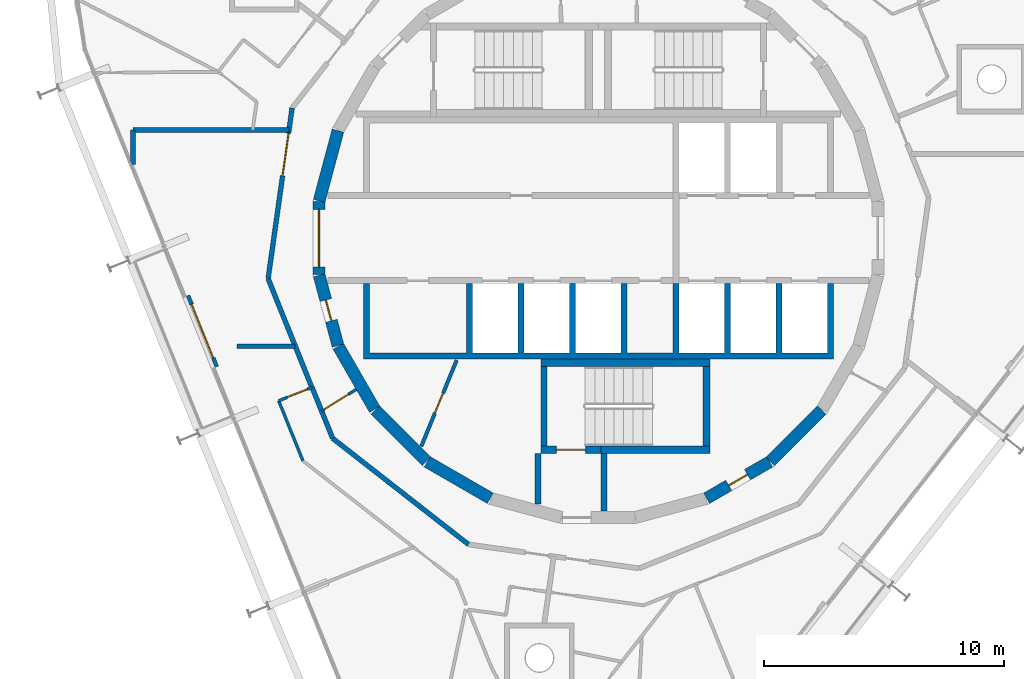
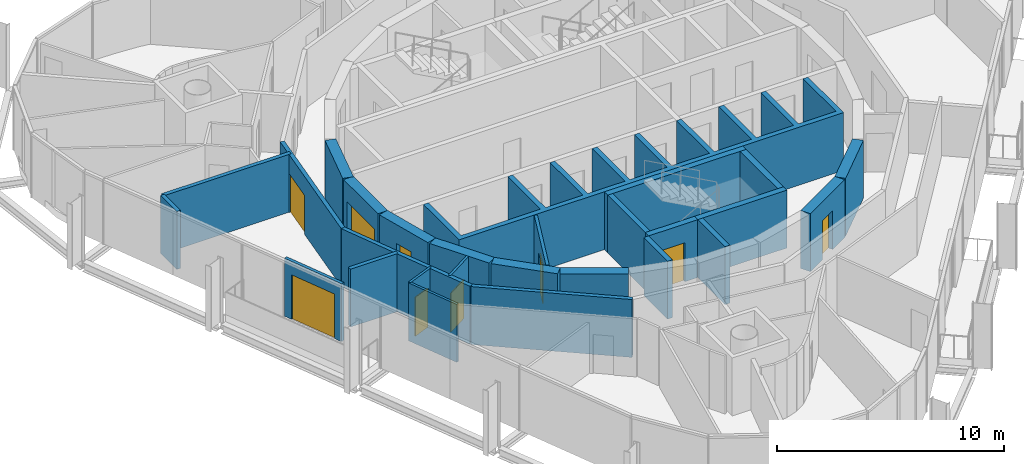
# One storey, part 10 of 15: 28 walls, 9 doors, 9 openings.
"""IFC4 building model written with IfcOpenShell, lengths in metres."""

from ifc_helpers import new_model, si_unit, direction, frame, frame_2d, origin, place, context, subcontext, project, spatial, polyline, rectangle, outline, extrude, material, layer, layer_set, type_object, element, fill, save


model = new_model("IFC4")

# Units and contexts
model_context = context("Model", 3, precision=1e-05, world=origin(), true_north=direction((0.0, 1.0)))
body_context = subcontext(model_context, "Body", "Model", "MODEL_VIEW")
ifc_project = project(units=[si_unit("LENGTHUNIT", "METRE"), si_unit("AREAUNIT", "SQUARE_METRE"), si_unit("VOLUMEUNIT", "CUBIC_METRE"), si_unit("PLANEANGLEUNIT", "RADIAN"), si_unit("MASSUNIT", "GRAM", prefix="KILO")], contexts=[model_context])

# Site, building, storey
site_placement = place(None, origin())
site = spatial("IfcSite", under=ifc_project, at=site_placement, CompositionType="ELEMENT")
building_placement = place(site_placement, origin())
building = spatial("IfcBuilding", under=site, at=building_placement, Name="Spindle Arch Residences", CompositionType="ELEMENT")
storey_placement = place(building_placement, frame((0.0, 0.0, 354.0)))
storey = spatial("IfcBuildingStorey", under=building, at=storey_placement, Name="L91", CompositionType="ELEMENT", Elevation=354.0)

# Wall, opening, door
ifc_material_1 = material(Name="Concrete C50/60", Category="concrete")
ifc_layer_1 = layer(ifc_material_1, 0.5)
ifc_layer_set_1 = layer_set([ifc_layer_1], Name="Core outline wall 500")
wall_type_1 = type_object("IfcWallType", Name="Core outline wall 500", PredefinedType="SHEAR", material=ifc_layer_set_1)
wall_1_placement = place(storey_placement, frame((4.510498046875, -10.84521484375, 0.0), z_axis=(0.0, 0.0, 1.0), x_axis=(0.865975092491, 0.500087131594, 0.0)))
wall_1 = element("IfcWall", 1, at=wall_1_placement, inside=storey, type_object=wall_type_1, Name="Core outline wall 2", PredefinedType="SHEAR", context=body_context, shape_type="SweptSolid", body=[
    extrude(rectangle(XDim=3.03271484375, YDim=0.5, at=frame_2d((1.516357421875, 0.0))), origin(), (0.0, 0.0, 1.0), 3.1201171875),
])
opening_1_placement = place(wall_1_placement, frame((1.06640625, 0.0, 0.0)))
opening_1 = element("IfcOpeningElement", 2, at=opening_1_placement, cuts=wall_1, Name="Opening R9C0-WD08", PredefinedType="OPENING", context=body_context, shape_type="SweptSolid", body=[
    extrude(rectangle(XDim=0.89990234375, YDim=2.10009765625, at=frame_2d((0.449951171875, 1.050048828125))), frame((0.0, 0.260009765625, 0.0), z_axis=(0.0, -1.0, 0.0), x_axis=(1.0, 0.0, 0.0)), (0.0, 0.0, 1.0), 0.52001953125),
])
ifc_material_2 = material(Name="Steel, fire-resisting door", Category="steel")
door_type_1 = type_object("IfcDoorType", Name="Service room door 900x2100", OperationType="SINGLE_SWING_LEFT", PredefinedType="DOOR", material=ifc_material_2)
door_1_placement = place(opening_1_placement, origin())
door_1 = element("IfcDoor", 3, at=door_1_placement, inside=storey, type_object=door_type_1, Name="Service room door R9C0-WD08", OperationType="SINGLE_SWING_RIGHT", OverallHeight=2.10009765625, OverallWidth=0.89990234375, PredefinedType="DOOR", context=body_context, shape_type="SweptSolid", body=[
    extrude(rectangle(XDim=0.89990234375, YDim=2.10009765625, at=frame_2d((0.449951171875, 1.050048828125))), frame((0.0, 0.02490234375, 0.0), z_axis=(0.0, -1.0, 0.0), x_axis=(1.0, 0.0, 0.0)), (0.0, 0.0, 1.0), 0.050048828125),
])
fill(opening_1, door_1)

# Walls
wall_2_placement = place(storey_placement, frame((7.163818359375, -9.30810546875, 0.0), z_axis=(0.0, 0.0, 1.0), x_axis=(0.707106781187, 0.707106781187, 0.0)))
element("IfcWall", 4, at=wall_2_placement, inside=storey, type_object=wall_type_1, Name="Core outline wall 3", PredefinedType="SHEAR", context=body_context, shape_type="SweptSolid", body=[
    extrude(rectangle(XDim=3.032470703125, YDim=0.5, at=frame_2d((1.51611328125, 0.0))), origin(), (0.0, 0.0, 1.0), 3.1201171875),
])
wall_3_placement = place(storey_placement, frame((-10.858154296875, 4.479248046875, 0.0), z_axis=(0.0, 0.0, 1.0), x_axis=(-0.258734743916, -0.965948410781, 0.0)))
element("IfcWall", 5, at=wall_3_placement, inside=storey, type_object=wall_type_1, Name="Core outline wall 17", PredefinedType="SHEAR", context=body_context, shape_type="SweptSolid", body=[
    extrude(rectangle(XDim=3.03271484375, YDim=0.5, at=frame_2d((1.516357421875, 0.0))), origin(), (0.0, 0.0, 1.0), 3.1201171875),
])

# Wall, opening, door
wall_4_placement = place(storey_placement, frame((-11.647216796875, 1.516357421875, 0.0), z_axis=(0.0, 0.0, 1.0), x_axis=(0.0, -1.0, 0.0)))
wall_4 = element("IfcWall", 6, at=wall_4_placement, inside=storey, type_object=wall_type_1, Name="Core outline wall 18", PredefinedType="SHEAR", context=body_context, shape_type="SweptSolid", body=[
    extrude(rectangle(XDim=3.03271484375, YDim=0.5, at=frame_2d((1.516357421875, 0.0))), origin(), (0.0, 0.0, 1.0), 3.1201171875),
])
opening_2_placement = place(wall_4_placement, frame((0.31640625, 0.0, 0.0)))
opening_2 = element("IfcOpeningElement", 7, at=opening_2_placement, cuts=wall_4, Name="Opening R9C0-LE01", PredefinedType="OPENING", context=body_context, shape_type="SweptSolid", body=[
    extrude(rectangle(XDim=2.39990234375, YDim=2.10009765625, at=frame_2d((1.199951171875, 1.050048828125))), frame((0.0, 0.260009765625, 0.0), z_axis=(0.0, -1.0, 0.0), x_axis=(1.0, 0.0, 0.0)), (0.0, 0.0, 1.0), 0.52001953125),
])
ifc_material_3 = material(Name="Steel, fire-resisting door", Category="steel")
door_type_2 = type_object("IfcDoorType", Name="Lift lobby entrance door 2400x2100", OperationType="DOUBLE_DOOR_SINGLE_SWING", PredefinedType="DOOR", material=ifc_material_3)
door_2_placement = place(opening_2_placement, origin())
door_2 = element("IfcDoor", 8, at=door_2_placement, inside=storey, type_object=door_type_2, Name="Lift lobby entrance door R9C0-LE01", OperationType="DOUBLE_DOOR_SINGLE_SWING", OverallHeight=2.10009765625, OverallWidth=2.39990234375, PredefinedType="DOOR", context=body_context, shape_type="SweptSolid", body=[
    extrude(rectangle(XDim=2.39990234375, YDim=2.10009765625, at=frame_2d((1.199951171875, 1.050048828125))), frame((0.0, 0.02490234375, 0.0), z_axis=(0.0, -1.0, 0.0), x_axis=(1.0, 0.0, 0.0)), (0.0, 0.0, 1.0), 0.050048828125),
])
fill(opening_2, door_2)

wall_5_placement = place(storey_placement, frame((-11.642822265625, -1.5498046875, 0.0), z_axis=(0.0, 0.0, 1.0), x_axis=(0.258734743916, -0.965948410781, 0.0)))
wall_5 = element("IfcWall", 9, at=wall_5_placement, inside=storey, type_object=wall_type_1, Name="Core outline wall 19", PredefinedType="SHEAR", context=body_context, shape_type="SweptSolid", body=[
    extrude(rectangle(XDim=3.03271484375, YDim=0.5, at=frame_2d((1.516357421875, 0.0))), origin(), (0.0, 0.0, 1.0), 3.1201171875),
])
opening_3_placement = place(wall_5_placement, frame((1.06640625, 0.0, 0.0)))
opening_3 = element("IfcOpeningElement", 10, at=opening_3_placement, cuts=wall_5, Name="Opening R9C0-WD09", PredefinedType="OPENING", context=body_context, shape_type="SweptSolid", body=[
    extrude(rectangle(XDim=0.89990234375, YDim=2.10009765625, at=frame_2d((0.449951171875, 1.050048828125))), frame((0.0, 0.260009765625, 0.0), z_axis=(0.0, -1.0, 0.0), x_axis=(1.0, 0.0, 0.0)), (0.0, 0.0, 1.0), 0.52001953125),
])
door_3_placement = place(opening_3_placement, origin())
door_3 = element("IfcDoor", 11, at=door_3_placement, inside=storey, type_object=door_type_1, Name="Service room door R9C0-WD09", OperationType="SINGLE_SWING_LEFT", OverallHeight=2.10009765625, OverallWidth=0.89990234375, PredefinedType="DOOR", context=body_context, shape_type="SweptSolid", body=[
    extrude(rectangle(XDim=0.89990234375, YDim=2.10009765625, at=frame_2d((0.449951171875, 1.050048828125))), frame((0.0, 0.02490234375, 0.0), z_axis=(0.0, -1.0, 0.0), x_axis=(1.0, 0.0, 0.0)), (0.0, 0.0, 1.0), 0.050048828125),
])
fill(opening_3, door_3)

# Walls
wall_6_placement = place(storey_placement, frame((-10.84521484375, -4.510498046875, 0.0), z_axis=(0.0, 0.0, 1.0), x_axis=(0.500087131594, -0.865975092491, 0.0)))
element("IfcWall", 12, at=wall_6_placement, inside=storey, type_object=wall_type_1, Name="Core outline wall 20", PredefinedType="SHEAR", context=body_context, shape_type="SweptSolid", body=[
    extrude(rectangle(XDim=3.03271484375, YDim=0.5, at=frame_2d((1.516357421875, 0.0))), origin(), (0.0, 0.0, 1.0), 3.1201171875),
])
wall_7_placement = place(storey_placement, frame((-9.30810546875, -7.163818359375, 0.0), z_axis=(0.0, 0.0, 1.0), x_axis=(0.707106781187, -0.707106781187, 0.0)))
element("IfcWall", 13, at=wall_7_placement, inside=storey, type_object=wall_type_1, Name="Core outline wall 21", PredefinedType="SHEAR", context=body_context, shape_type="SweptSolid", body=[
    extrude(rectangle(XDim=3.032470703125, YDim=0.5, at=frame_2d((1.51611328125, 0.0))), origin(), (0.0, 0.0, 1.0), 3.1201171875),
])
wall_8_placement = place(storey_placement, frame((-7.13671875, -9.32861328125, 0.0), z_axis=(0.0, 0.0, 1.0), x_axis=(0.865975092491, -0.500087131594, 0.0)))
element("IfcWall", 14, at=wall_8_placement, inside=storey, type_object=wall_type_1, Name="Core outline wall 22", PredefinedType="SHEAR", context=body_context, shape_type="SweptSolid", body=[
    extrude(rectangle(XDim=3.03271484375, YDim=0.5, at=frame_2d((1.516357421875, 0.0))), origin(), (0.0, 0.0, 1.0), 3.1201171875),
])

# Wall, opening, door
ifc_material_4 = material(Name="Plasterboard on steel studs", Category="steel")
ifc_layer_2 = layer(ifc_material_4, 0.1201171875)
ifc_layer_set_2 = layer_set([ifc_layer_2], Name="Corridor division wall 120")
wall_type_2 = type_object("IfcWallType", Name="Corridor division wall 120", PredefinedType="PARTITIONING", material=ifc_layer_set_2)
wall_9_placement = place(storey_placement, frame((-11.539306640625, -7.21044921875, 0.0), z_axis=(0.0, 0.0, 1.0), x_axis=(0.848103039868, 0.529831325769, 0.0)))
wall_9 = element("IfcWall", 15, at=wall_9_placement, inside=storey, type_object=wall_type_2, Name="Corridor division wall R9C0-W003", PredefinedType="PARTITIONING", context=body_context, shape_type="SweptSolid", body=[
    extrude(rectangle(XDim=1.7021484375, YDim=0.1201171875, at=frame_2d((0.85107421875, 0.0))), origin(), (0.0, 0.0, 1.0), 3.1201171875),
])
opening_4_placement = place(wall_9_placement, frame((0.1201171875, 0.0, 0.0)))
opening_4 = element("IfcOpeningElement", 16, at=opening_4_placement, cuts=wall_9, Name="Opening R9C0-CD03", PredefinedType="OPENING", context=body_context, shape_type="SweptSolid", body=[
    extrude(rectangle(XDim=1.199951171875, YDim=2.10009765625, at=frame_2d((0.60009765625, 1.050048828125))), frame((0.0, 0.070068359375, 0.0), z_axis=(0.0, -1.0, 0.0), x_axis=(1.0, 0.0, 0.0)), (0.0, 0.0, 1.0), 0.14013671875),
])
ifc_material_5 = material(Name="Steel, fire-resisting door", Category="steel")
door_type_3 = type_object("IfcDoorType", Name="Corridor division door 1200x2100", OperationType="NOTDEFINED", PredefinedType="DOOR", material=ifc_material_5)
door_4_placement = place(opening_4_placement, origin())
door_4 = element("IfcDoor", 17, at=door_4_placement, inside=storey, type_object=door_type_3, Name="Corridor division door R9C0-CD03", OperationType="DOUBLE_DOOR_SINGLE_SWING", OverallHeight=2.10009765625, OverallWidth=1.199951171875, PredefinedType="DOOR", context=body_context, shape_type="SweptSolid", body=[
    extrude(rectangle(XDim=1.199951171875, YDim=2.10009765625, at=frame_2d((0.60009765625, 1.050048828125))), frame((0.0, 0.02490234375, 0.0), z_axis=(0.0, -1.0, 0.0), x_axis=(1.0, 0.0, 0.0)), (0.0, 0.0, 1.0), 0.050048828125),
])
fill(opening_4, door_4)

# Walls
ifc_material_6 = material(Name="Calcium silicate block, plastered")
ifc_layer_3 = layer(ifc_material_6, 0.199951171875)
ifc_layer_set_3 = layer_set([ifc_layer_3], Name="Corridor wall 200")
wall_type_3 = type_object("IfcWallType", Name="Corridor wall 200", PredefinedType="STANDARD", material=ifc_layer_set_3)
wall_10_placement = place(storey_placement, frame((-11.939453125, -6.2197265625, 0.0), z_axis=(0.0, 0.0, 1.0), x_axis=(0.374651128394, -0.927165860024, 0.0)))
element("IfcWall", 18, at=wall_10_placement, inside=storey, type_object=wall_type_3, Name="Corridor wall R9C0-W013", PredefinedType="STANDARD", context=body_context, shape_type="SweptSolid", body=[
    extrude(rectangle(XDim=2.29638671875, YDim=0.199951171875, at=frame_2d((1.148193359375, 0.0))), origin(), (0.0, 0.0, 1.0), 3.1201171875),
])
wall_11_placement = place(storey_placement, frame((-11.0791015625, -8.348876953125, 0.0), z_axis=(0.0, 0.0, 1.0), x_axis=(0.78800478687, -0.615669112324, 0.0)))
element("IfcWall", 19, at=wall_11_placement, inside=storey, type_object=wall_type_3, Name="Corridor wall R9C0-W014", PredefinedType="STANDARD", context=body_context, shape_type="SweptSolid", body=[
    extrude(rectangle(XDim=7.18115234375, YDim=0.199951171875, at=frame_2d((3.590576171875, 0.0))), origin(), (0.0, 0.0, 1.0), 3.1201171875),
])

# Wall, opening, door
ifc_material_7 = material(Name="Plasterboard on steel studs", Category="steel")
ifc_layer_4 = layer(ifc_material_7, 0.1201171875)
ifc_layer_set_4 = layer_set([ifc_layer_4], Name="Flat partition 120")
wall_type_4 = type_object("IfcWallType", Name="Flat partition 120", PredefinedType="PARTITIONING", material=ifc_layer_set_4)
wall_12_placement = place(storey_placement, frame((-11.953369140625, -6.225341796875, 0.0), z_axis=(0.0, 0.0, 1.0), x_axis=(-0.927144096717, -0.374704982518, 0.0)))
wall_12 = element("IfcWall", 20, at=wall_12_placement, inside=storey, type_object=wall_type_4, Name="Flat partition R9C0-W069", PredefinedType="PARTITIONING", context=body_context, shape_type="SweptSolid", body=[
    extrude(rectangle(XDim=1.48486328125, YDim=0.1201171875, at=frame_2d((0.742431640625, 0.0))), origin(), (0.0, 0.0, 1.0), 3.1201171875),
])
opening_5_placement = place(wall_12_placement, frame((0.199951171875, 0.0, 0.0)))
opening_5 = element("IfcOpeningElement", 21, at=opening_5_placement, cuts=wall_12, Name="Opening R9C0-ID14", PredefinedType="OPENING", context=body_context, shape_type="SweptSolid", body=[
    extrude(rectangle(XDim=0.89990234375, YDim=2.10009765625, at=frame_2d((0.449951171875, 1.050048828125))), frame((0.0, 0.070068359375, 0.0), z_axis=(0.0, -1.0, 0.0), x_axis=(1.0, 0.0, 0.0)), (0.0, 0.0, 1.0), 0.14013671875),
])
ifc_material_8 = material(Name="Timber door set", Category="wood")
door_type_4 = type_object("IfcDoorType", Name="Room door 900x2100", OperationType="NOTDEFINED", PredefinedType="DOOR", material=ifc_material_8)
door_5_placement = place(opening_5_placement, origin())
door_5 = element("IfcDoor", 22, at=door_5_placement, inside=storey, type_object=door_type_4, Name="Room door R9C0-ID14", OperationType="SINGLE_SWING_LEFT", OverallHeight=2.10009765625, OverallWidth=0.89990234375, PredefinedType="DOOR", context=body_context, shape_type="SweptSolid", body=[
    extrude(rectangle(XDim=0.89990234375, YDim=2.10009765625, at=frame_2d((0.449951171875, 1.050048828125))), frame((0.0, 0.02490234375, 0.0), z_axis=(0.0, -1.0, 0.0), x_axis=(1.0, 0.0, 0.0)), (0.0, 0.0, 1.0), 0.050048828125),
])
fill(opening_5, door_5)

# Wall
wall_13_placement = place(storey_placement, frame((-13.330078125, -6.78173828125, 0.0), z_axis=(0.0, 0.0, 1.0), x_axis=(0.374602180132, -0.927185637637, 0.0)))
element("IfcWall", 23, at=wall_13_placement, inside=storey, type_object=wall_type_4, Name="Flat partition R9C0-W070", PredefinedType="PARTITIONING", context=body_context, shape_type="SweptSolid", body=[
    extrude(rectangle(XDim=2.6982421875, YDim=0.1201171875, at=frame_2d((1.34912109375, 0.0))), origin(), (0.0, 0.0, 1.0), 3.1201171875),
])

# Wall, opening, door
ifc_material_9 = material(Name="Non-combustible mineral wool insulated aluminium faced external wall (K0)", Category="aluminium")
ifc_layer_5 = layer(ifc_material_9, 0.159912109375)
ifc_layer_set_5 = layer_set([ifc_layer_5], Name="Insulated external wall panel 160")
wall_type_5 = type_object("IfcWallType", Name="Insulated external wall panel 160", PredefinedType="STANDARD", material=ifc_layer_set_5)
wall_14_placement = place(storey_placement, frame((-17.107177734375, -2.394287109375, 0.0), z_axis=(0.0, 0.0, 1.0), x_axis=(0.374598019739, -0.927187318511, 0.0)))
wall_14 = element("IfcWall", 24, at=wall_14_placement, inside=storey, type_object=wall_type_5, Name="External wall L91 bay 13", PredefinedType="STANDARD", context=body_context, shape_type="SweptSolid", body=[
    extrude(rectangle(XDim=3.199951171875, YDim=0.159912109375, at=frame_2d((1.60009765625, 0.0))), origin(), (0.0, 0.0, 1.0), 3.1201171875),
])
opening_6_placement = place(wall_14_placement, frame((0.39990234375, 0.0, 0.0)))
opening_6 = element("IfcOpeningElement", 25, at=opening_6_placement, cuts=wall_14, Name="Opening BD13", PredefinedType="OPENING", context=body_context, shape_type="SweptSolid", body=[
    extrude(rectangle(XDim=2.39990234375, YDim=2.39990234375, at=frame_2d((1.199951171875, 1.199951171875))), frame((0.0, 0.08984375, 0.0), z_axis=(0.0, -1.0, 0.0), x_axis=(1.0, 0.0, 0.0)), (0.0, 0.0, 1.0), 0.179931640625),
])
ifc_material_10 = material(Name="Bronze aluminium frame, tinted double glazing", Category="aluminium")
door_type_5 = type_object("IfcDoorType", Name="Sliding glazed balcony door 2400x2400", OperationType="DOUBLE_DOOR_SLIDING", PredefinedType="DOOR", material=ifc_material_10)
door_6_placement = place(opening_6_placement, origin())
door_6 = element("IfcDoor", 26, at=door_6_placement, inside=storey, type_object=door_type_5, Name="Balcony door BD13", OperationType="DOUBLE_DOOR_SLIDING", OverallHeight=2.39990234375, OverallWidth=2.39990234375, PredefinedType="DOOR", context=body_context, shape_type="SweptSolid", body=[
    extrude(rectangle(XDim=2.39990234375, YDim=2.39990234375, at=frame_2d((1.199951171875, 1.199951171875))), frame((0.0, 0.02490234375, 0.0), z_axis=(0.0, -1.0, 0.0), x_axis=(1.0, 0.0, 0.0)), (0.0, 0.0, 1.0), 0.050048828125),
])
fill(opening_6, door_6)

ifc_material_11 = material(Name="Calcium silicate block, plastered")
ifc_layer_6 = layer(ifc_material_11, 0.199951171875)
ifc_layer_set_6 = layer_set([ifc_layer_6], Name="Lift lobby bay wall 200")
wall_type_6 = type_object("IfcWallType", Name="Lift lobby bay wall 200", PredefinedType="STANDARD", material=ifc_layer_set_6)
wall_15_placement = place(storey_placement, frame((-12.77001953125, 5.42041015625, 0.0), z_axis=(0.0, 0.0, 1.0), x_axis=(-0.139155334385, -0.990270565508, 0.0)))
wall_15 = element("IfcWall", 27, at=wall_15_placement, inside=storey, type_object=wall_type_6, Name="Lift lobby bay wall R9C0-W009", PredefinedType="STANDARD", context=body_context, shape_type="SweptSolid", body=[
    extrude(rectangle(XDim=7.180908203125, YDim=0.199951171875, at=frame_2d((3.59033203125, 0.0))), origin(), (0.0, 0.0, 1.0), 3.1201171875),
])
opening_7_placement = place(wall_15_placement, frame((1.0546875, 0.0, 0.0)))
opening_7 = element("IfcOpeningElement", 28, at=opening_7_placement, cuts=wall_15, Name="Opening R9C0-LB01", PredefinedType="OPENING", context=body_context, shape_type="SweptSolid", body=[
    extrude(rectangle(XDim=1.800048828125, YDim=2.10009765625, at=frame_2d((0.89990234375, 1.050048828125))), frame((0.0, 0.10986328125, 0.0), z_axis=(0.0, -1.0, 0.0), x_axis=(1.0, 0.0, 0.0)), (0.0, 0.0, 1.0), 0.219970703125),
])
ifc_material_12 = material(Name="Steel, fire-resisting door", Category="steel")
door_type_6 = type_object("IfcDoorType", Name="Lift lobby bay door 1800x2100", OperationType="NOTDEFINED", PredefinedType="DOOR", material=ifc_material_12)
door_7_placement = place(opening_7_placement, origin())
door_7 = element("IfcDoor", 29, at=door_7_placement, inside=storey, type_object=door_type_6, Name="Lift lobby bay door R9C0-LB01", OperationType="DOUBLE_DOOR_SINGLE_SWING", OverallHeight=2.10009765625, OverallWidth=1.800048828125, PredefinedType="DOOR", context=body_context, shape_type="SweptSolid", body=[
    extrude(rectangle(XDim=1.800048828125, YDim=2.10009765625, at=frame_2d((0.89990234375, 1.050048828125))), frame((0.0, 0.02490234375, 0.0), z_axis=(0.0, -1.0, 0.0), x_axis=(1.0, 0.0, 0.0)), (0.0, 0.0, 1.0), 0.050048828125),
])
fill(opening_7, door_7)

# Walls
wall_16_placement = place(storey_placement, frame((-13.769287109375, -1.690673828125, 0.0), z_axis=(0.0, 0.0, 1.0), x_axis=(0.372720094028, -0.927943819155, 0.0)))
element("IfcWall", 30, at=wall_16_placement, inside=storey, type_object=wall_type_6, Name="Lift lobby bay wall R9C0-W010", PredefinedType="STANDARD", context=body_context, shape_type="SweptSolid", body=[
    extrude(rectangle(XDim=4.874755859375, YDim=0.199951171875, at=frame_2d((2.4375, 0.0))), origin(), (0.0, 0.0, 1.0), 3.1201171875),
])
wall_17_placement = place(storey_placement, frame((-12.8994140625, 4.5, 0.0), z_axis=(0.0, 0.0, 1.0), x_axis=(-1.0, 0.0, 0.0)))
element("IfcWall", 31, at=wall_17_placement, inside=storey, type_object=wall_type_6, Name="Lift lobby bay wall R9C0-W017", PredefinedType="STANDARD", context=body_context, shape_type="SweptSolid", body=[
    extrude(rectangle(XDim=6.50048828125, YDim=0.199951171875, at=frame_2d((3.250244140625, 0.0))), origin(), (0.0, 0.0, 1.0), 3.1201171875),
])
wall_18_placement = place(storey_placement, frame((-19.39990234375, 4.5, 0.0), z_axis=(0.0, 0.0, 1.0), x_axis=(0.0, -1.0, 0.0)))
element("IfcWall", 32, at=wall_18_placement, inside=storey, type_object=wall_type_6, Name="Lift lobby bay wall R9C0-W018", PredefinedType="STANDARD", context=body_context, shape_type="SweptSolid", body=[
    extrude(rectangle(XDim=1.432861328125, YDim=0.199951171875, at=frame_2d((0.71630859375, 0.0))), origin(), (0.0, 0.0, 1.0), 3.1201171875),
])
wall_19_placement = place(storey_placement, frame((-15.07373046875, -4.510009765625, 0.0), z_axis=(0.0, 0.0, 1.0), x_axis=(1.0, 0.0, 0.0)))
element("IfcWall", 33, at=wall_19_placement, inside=storey, type_object=wall_type_6, Name="Lift lobby bay wall R9C0-W019", PredefinedType="STANDARD", context=body_context, shape_type="SweptSolid", body=[
    extrude(rectangle(XDim=2.4326171875, YDim=0.199951171875, at=frame_2d((1.21630859375, 0.0))), origin(), (0.0, 0.0, 1.0), 3.1201171875),
])
ifc_material_13 = material(Name="Concrete C50/60", Category="concrete")
wall_type_7 = type_object("IfcWallType", Name="Lift shaft wall profile", PredefinedType="SHEAR", material=ifc_material_13)
wall_20_placement = place(storey_placement, origin())
element("IfcWall", 34, at=wall_20_placement, inside=storey, type_object=wall_type_7, Name="Lift shaft walls S", PredefinedType="SHEAR", context=body_context, shape_type="SweptSolid", body=[
    extrude(outline(polyline([(9.800048828125, -5.050048828125), (9.800048828125, -4.800048828125), (9.800048828125, -1.89990234375), (9.550048828125, -1.89990234375), (9.550048828125, -4.800048828125), (7.64990234375, -4.800048828125), (7.64990234375, -1.89990234375), (7.39990234375, -1.89990234375), (7.39990234375, -4.800048828125), (5.5, -4.800048828125), (5.5, -1.89990234375), (5.25, -1.89990234375), (5.25, -4.800048828125), (3.35009765625, -4.800048828125), (3.35009765625, -1.89990234375), (3.10009765625, -1.89990234375), (3.10009765625, -4.800048828125), (1.199951171875, -4.800048828125), (1.199951171875, -1.89990234375), (0.949951171875, -1.89990234375), (0.949951171875, -4.800048828125), (-0.949951171875, -4.800048828125), (-0.949951171875, -1.89990234375), (-1.199951171875, -1.89990234375), (-1.199951171875, -4.800048828125), (-3.10009765625, -4.800048828125), (-3.10009765625, -1.89990234375), (-3.35009765625, -1.89990234375), (-3.35009765625, -4.800048828125), (-5.25, -4.800048828125), (-5.25, -1.89990234375), (-5.5, -1.89990234375), (-5.5, -4.800048828125), (-9.550048828125, -4.800048828125), (-9.550048828125, -1.89990234375), (-9.800048828125, -1.89990234375), (-9.800048828125, -4.800048828125), (-9.800048828125, -5.050048828125), (9.800048828125, -5.050048828125)])), origin(), (0.0, 0.0, 1.0), 3.1201171875),
])

# Wall, opening, door
ifc_material_14 = material(Name="Concrete C25/30", Category="concrete")
ifc_layer_7 = layer(ifc_material_14, 0.14990234375)
ifc_layer_set_7 = layer_set([ifc_layer_7], Name="Service room partition 150")
wall_type_8 = type_object("IfcWallType", Name="Service room partition 150", PredefinedType="PARTITIONING", material=ifc_layer_set_7)
wall_21_placement = place(storey_placement, frame((-7.385009765625, -8.680908203125, 0.0), z_axis=(0.0, 0.0, 1.0), x_axis=(0.379804590409, 0.925066739811, 0.0)))
wall_21 = element("IfcWall", 35, at=wall_21_placement, inside=storey, type_object=wall_type_8, Name="Core service room partition", PredefinedType="PARTITIONING", context=body_context, shape_type="SweptSolid", body=[
    extrude(rectangle(XDim=3.885009765625, YDim=0.14990234375, at=frame_2d((1.9423828125, 0.0))), origin(), (0.0, 0.0, 1.0), 3.1201171875),
])
opening_8_placement = place(wall_21_placement, frame((1.49267578125, 0.0, 0.0)))
opening_8 = element("IfcOpeningElement", 36, at=opening_8_placement, cuts=wall_21, Name="Opening R9C0-WD05", PredefinedType="OPENING", context=body_context, shape_type="SweptSolid", body=[
    extrude(rectangle(XDim=0.89990234375, YDim=2.10009765625, at=frame_2d((0.449951171875, 1.050048828125))), frame((0.0, 0.0849609375, 0.0), z_axis=(0.0, -1.0, 0.0), x_axis=(1.0, 0.0, 0.0)), (0.0, 0.0, 1.0), 0.169921875),
])
door_8_placement = place(opening_8_placement, origin())
door_8 = element("IfcDoor", 37, at=door_8_placement, inside=storey, type_object=door_type_1, Name="Service room door R9C0-WD05", OperationType="SINGLE_SWING_LEFT", OverallHeight=2.10009765625, OverallWidth=0.89990234375, PredefinedType="DOOR", context=body_context, shape_type="SweptSolid", body=[
    extrude(rectangle(XDim=0.89990234375, YDim=2.10009765625, at=frame_2d((0.449951171875, 1.050048828125))), frame((0.0, 0.02490234375, 0.0), z_axis=(0.0, -1.0, 0.0), x_axis=(1.0, 0.0, 0.0)), (0.0, 0.0, 1.0), 0.050048828125),
])
fill(opening_8, door_8)

# Walls
ifc_material_15 = material(Name="Concrete C40/50", Category="concrete")
ifc_layer_8 = layer(ifc_material_15, 0.25)
ifc_layer_set_8 = layer_set([ifc_layer_8], Name="Stair airlock wall 250")
wall_type_9 = type_object("IfcWallType", Name="Stair airlock wall 250", PredefinedType="SHEAR", material=ifc_layer_set_8)
wall_22_placement = place(storey_placement, frame((-2.52490234375, -8.969970703125, 0.0), z_axis=(0.0, 0.0, 1.0), x_axis=(0.0, -1.0, 0.0)))
element("IfcWall", 38, at=wall_22_placement, inside=storey, type_object=wall_type_9, Name="Stair ST-3 airlock wall W", PredefinedType="SHEAR", context=body_context, shape_type="SweptSolid", body=[
    extrude(rectangle(XDim=2.110107421875, YDim=0.25, at=frame_2d((1.05517578125, 0.0))), origin(), (0.0, 0.0, 1.0), 3.1201171875),
])
wall_23_placement = place(storey_placement, frame((0.22509765625, -8.969970703125, 0.0), z_axis=(0.0, 0.0, 1.0), x_axis=(0.0, -1.0, 0.0)))
element("IfcWall", 39, at=wall_23_placement, inside=storey, type_object=wall_type_9, Name="Stair ST-3 airlock wall E", PredefinedType="SHEAR", context=body_context, shape_type="SweptSolid", body=[
    extrude(rectangle(XDim=2.409912109375, YDim=0.25, at=frame_2d((1.205078125, 0.0))), origin(), (0.0, 0.0, 1.0), 3.1201171875),
])
ifc_material_16 = material(Name="Concrete C50/60", Category="concrete")
ifc_layer_9 = layer(ifc_material_16, 0.25)
ifc_layer_set_9 = layer_set([ifc_layer_9], Name="Stair enclosure wall 250")
wall_type_10 = type_object("IfcWallType", Name="Stair enclosure wall 250", PredefinedType="SHEAR", material=ifc_layer_set_9)
wall_24_placement = place(storey_placement, frame((-2.27490234375, -8.669921875, 0.0), z_axis=(0.0, 0.0, 1.0), x_axis=(0.0, 1.0, 0.0)))
element("IfcWall", 40, at=wall_24_placement, inside=storey, type_object=wall_type_10, Name="Stair ST-3 enclosure wall W", PredefinedType="SHEAR", context=body_context, shape_type="SweptSolid", body=[
    extrude(rectangle(XDim=3.31982421875, YDim=0.25, at=frame_2d((1.659912109375, 0.0))), origin(), (0.0, 0.0, 1.0), 3.1201171875),
])
ifc_material_17 = material(Name="Concrete C50/60", Category="concrete")
ifc_layer_10 = layer(ifc_material_17, 0.300048828125)
ifc_layer_set_10 = layer_set([ifc_layer_10], Name="Stair enclosure wall 300")
wall_type_11 = type_object("IfcWallType", Name="Stair enclosure wall 300", PredefinedType="SHEAR", material=ifc_layer_set_10)
wall_25_placement = place(storey_placement, frame((-2.39990234375, -5.199951171875, 0.0), z_axis=(0.0, 0.0, 1.0), x_axis=(1.0, 0.0, 0.0)))
element("IfcWall", 41, at=wall_25_placement, inside=storey, type_object=wall_type_11, Name="Stair ST-3 enclosure wall N", PredefinedType="SHEAR", context=body_context, shape_type="SweptSolid", body=[
    extrude(rectangle(XDim=7.0498046875, YDim=0.300048828125, at=frame_2d((3.52490234375, 0.0))), origin(), (0.0, 0.0, 1.0), 3.1201171875),
])
wall_26_placement = place(storey_placement, frame((4.5, -8.669921875, 0.0), z_axis=(0.0, 0.0, 1.0), x_axis=(0.0, 1.0, 0.0)))
element("IfcWall", 42, at=wall_26_placement, inside=storey, type_object=wall_type_11, Name="Stair ST-3 enclosure wall E", PredefinedType="SHEAR", context=body_context, shape_type="SweptSolid", body=[
    extrude(rectangle(XDim=3.31982421875, YDim=0.300048828125, at=frame_2d((1.659912109375, 0.0))), origin(), (0.0, 0.0, 1.0), 3.1201171875),
])
wall_27_placement = place(storey_placement, frame((0.10009765625, -8.820068359375, 0.0), z_axis=(0.0, 0.0, 1.0), x_axis=(1.0, 0.0, 0.0)))
element("IfcWall", 43, at=wall_27_placement, inside=storey, type_object=wall_type_11, Name="Stair ST-3 enclosure wall S", PredefinedType="SHEAR", context=body_context, shape_type="SweptSolid", body=[
    extrude(rectangle(XDim=4.5498046875, YDim=0.300048828125, at=frame_2d((2.27490234375, 0.0))), origin(), (0.0, 0.0, 1.0), 3.1201171875),
])

# Wall, opening, door
wall_28_placement = place(storey_placement, frame((-2.39990234375, -8.820068359375, 0.0), z_axis=(0.0, 0.0, 1.0), x_axis=(1.0, 0.0, 0.0)))
wall_28 = element("IfcWall", 44, at=wall_28_placement, inside=storey, type_object=wall_type_11, Name="Stair ST-3 door wall", PredefinedType="SHEAR", context=body_context, shape_type="SweptSolid", body=[
    extrude(rectangle(XDim=2.5, YDim=0.300048828125, at=frame_2d((1.25, 0.0))), origin(), (0.0, 0.0, 1.0), 3.1201171875),
])
opening_9_placement = place(wall_28_placement, frame((0.64990234375, 0.0, 0.0)))
opening_9 = element("IfcOpeningElement", 45, at=opening_9_placement, cuts=wall_28, Name="Opening R9C0-SD03", PredefinedType="OPENING", context=body_context, shape_type="SweptSolid", body=[
    extrude(rectangle(XDim=1.199951171875, YDim=2.10009765625, at=frame_2d((0.60009765625, 1.050048828125))), frame((0.0, 0.16015625, 0.0), z_axis=(0.0, -1.0, 0.0), x_axis=(1.0, 0.0, 0.0)), (0.0, 0.0, 1.0), 0.320068359375),
])
ifc_material_18 = material(Name="Steel, fire-resisting door", Category="steel")
door_type_7 = type_object("IfcDoorType", Name="Stair door 1200x2100", OperationType="SINGLE_SWING_RIGHT", PredefinedType="DOOR", material=ifc_material_18)
door_9_placement = place(opening_9_placement, origin())
door_9 = element("IfcDoor", 46, at=door_9_placement, inside=storey, type_object=door_type_7, Name="Stair door R9C0-SD03", OperationType="SINGLE_SWING_LEFT", OverallHeight=2.10009765625, OverallWidth=1.199951171875, PredefinedType="DOOR", context=body_context, shape_type="SweptSolid", body=[
    extrude(rectangle(XDim=1.199951171875, YDim=2.10009765625, at=frame_2d((0.60009765625, 1.050048828125))), frame((0.0, 0.02490234375, 0.0), z_axis=(0.0, -1.0, 0.0), x_axis=(1.0, 0.0, 0.0)), (0.0, 0.0, 1.0), 0.050048828125),
])
fill(opening_9, door_9)

save(model, "model.ifc")
